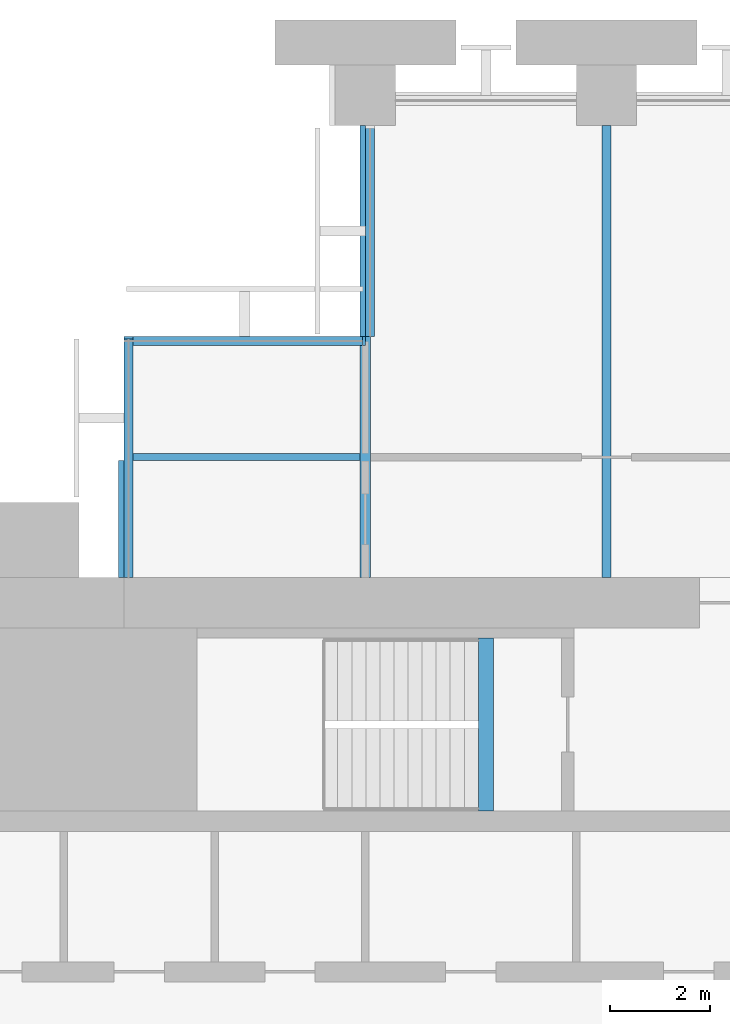
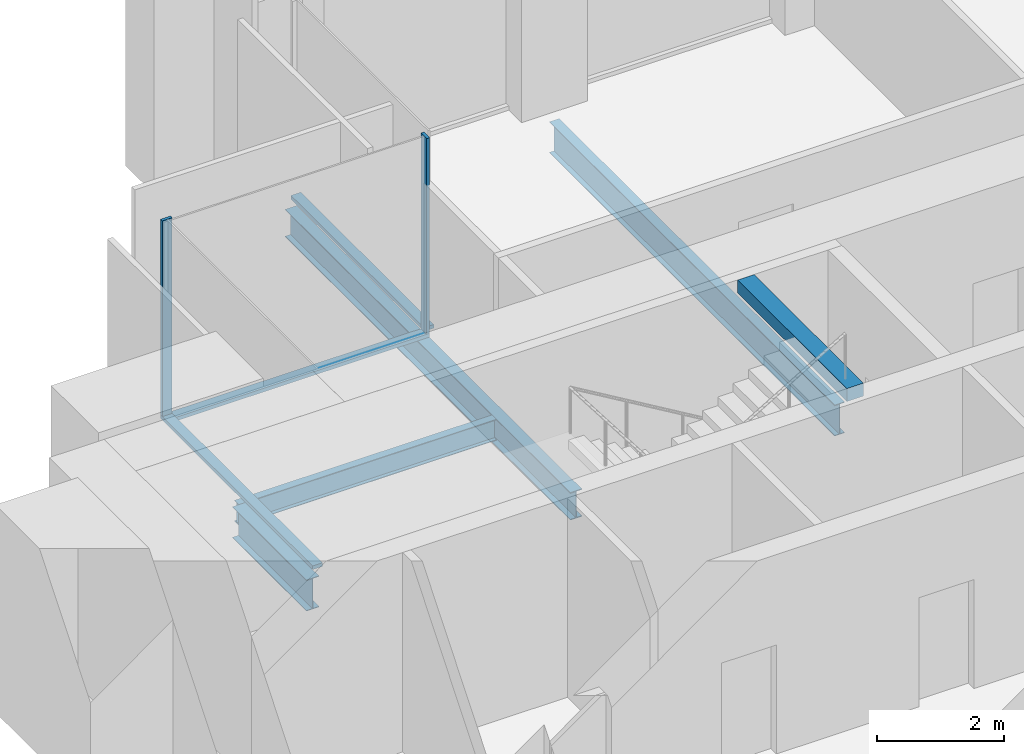
# One storey, part 5 of 14: 5 beams, 5 members, 3 elements without a shape of their own.
"""IFC4 building model written with IfcOpenShell, lengths in metres."""

from ifc_helpers import new_model, si_unit, direction, frame, origin, origin_2d, place, context, subcontext, project, spatial, rectangle, i_section, extrude, material, material_profile, profile_set, type_object, element, aggregate, save


model = new_model("IFC4")

# Units and contexts
model_context = context("Model", 3, precision=1e-05, world=origin(), true_north=direction((0.0, 1.0)))
body_context = subcontext(model_context, "Body", "Model", "MODEL_VIEW")
ifc_project = project(units=[si_unit("LENGTHUNIT", "METRE"), si_unit("AREAUNIT", "SQUARE_METRE"), si_unit("VOLUMEUNIT", "CUBIC_METRE"), si_unit("PLANEANGLEUNIT", "RADIAN"), si_unit("MASSUNIT", "GRAM", prefix="KILO")], contexts=[model_context])

# Site, building, storey
site_placement = place(None, origin())
site = spatial("IfcSite", under=ifc_project, at=site_placement, CompositionType="ELEMENT")
building_placement = place(site_placement, origin())
building = spatial("IfcBuilding", under=site, at=building_placement, Name="Baori Bourse Tower", CompositionType="ELEMENT")
storey_placement = place(building_placement, frame((0.0, 0.0, 108.10009765625)))
storey = spatial("IfcBuildingStorey", under=building, at=storey_placement, Name="L22", CompositionType="ELEMENT", Elevation=108.10009765625)

# Curtain wall, member
ifc_material_1 = material(Name="Pale anodised aluminium", Category="aluminium")
curtain_wall_type = type_object("IfcCurtainWallType", Name="CW2 Curtain wall", PredefinedType="NOTDEFINED", material=ifc_material_1)
curtain_wall_1_placement = place(storey_placement, origin())
curtain_wall_1 = element("IfcCurtainWall", 1, at=curtain_wall_1_placement, inside=storey, type_object=curtain_wall_type, Name="Curtain wall CW2 L22 6", PredefinedType="NOTDEFINED")
ifc_material_2 = material(Name="Pale anodised aluminium", Category="aluminium")
ifc_material_profile_1 = material_profile(ifc_material_2, rectangle(XDim=0.179931640625, YDim=0.054931640625, at=origin_2d()), Name="Mullion 55x180")
ifc_profile_set_1 = profile_set([ifc_material_profile_1], Name="Pale anodised aluminium")
member_type_1 = type_object("IfcMemberType", Name="CW2 Curtain wall mullion", PredefinedType="MULLION", material=ifc_profile_set_1)
member_1_placement = place(storey_placement, frame((9.572509765625, 43.110107421875, 0.06982421875), z_axis=(0.0, 0.0, 1.0), x_axis=(0.0, -1.0, 0.0)))
member_1 = element("IfcMember", 2, at=member_1_placement, type_object=member_type_1, Name="Curtain wall CW2 mullion", PredefinedType="MULLION", context=body_context, shape_type="SweptSolid", body=[
    extrude(rectangle(XDim=0.179931640625, YDim=0.054931640625, at=origin_2d()), origin(), (0.0, 0.0, 1.0), 3.77001953125),
])

curtain_wall_2_placement = place(storey_placement, origin())
curtain_wall_2 = element("IfcCurtainWall", 3, at=curtain_wall_2_placement, inside=storey, type_object=curtain_wall_type, Name="Curtain wall CW2 L22 7", PredefinedType="NOTDEFINED")
member_2_placement = place(storey_placement, frame((4.889892578125, 43.172607421875, 0.06982421875), z_axis=(0.0, 0.0, 1.0), x_axis=(1.0, 0.0, 0.0)))
member_2 = element("IfcMember", 4, at=member_2_placement, type_object=member_type_1, Name="Curtain wall CW2 mullion", PredefinedType="MULLION", context=body_context, shape_type="SweptSolid", body=[
    extrude(rectangle(XDim=0.179931640625, YDim=0.054931640625, at=origin_2d()), origin(), (0.0, 0.0, 1.0), 3.77001953125),
])

curtain_wall_3_placement = place(storey_placement, origin())
curtain_wall_3 = element("IfcCurtainWall", 5, at=curtain_wall_3_placement, inside=storey, type_object=curtain_wall_type, Name="Curtain wall CW2 L22 5", PredefinedType="NOTDEFINED")
ifc_material_3 = material(Name="Pale anodised aluminium", Category="aluminium")
ifc_material_profile_2 = material_profile(ifc_material_3, rectangle(XDim=0.179931640625, YDim=0.070068359375, at=origin_2d()), Name="Transom 70x180")
ifc_profile_set_2 = profile_set([ifc_material_profile_2], Name="Pale anodised aluminium")
member_type_2 = type_object("IfcMemberType", Name="CW2 Curtain wall transom", PredefinedType="USERDEFINED", material=ifc_profile_set_2)
member_3_placement = place(storey_placement, frame((9.68994140625, 47.39990234375, 0.034912109375), z_axis=(0.0, -1.0, 0.0), x_axis=(1.0, 0.0, 0.0)))
member_3 = element("IfcMember", 6, at=member_3_placement, type_object=member_type_2, Name="Curtain wall CW2 sill rail", ObjectType="TRANSOM", PredefinedType="USERDEFINED", context=body_context, shape_type="SweptSolid", body=[
    extrude(rectangle(XDim=0.179931640625, YDim=0.070068359375, at=origin_2d()), origin(), (0.0, 0.0, 1.0), 4.199951171875),
])
aggregate(curtain_wall_3, [member_3])

# Member
member_4_placement = place(storey_placement, frame((9.60009765625, 43.110107421875, 0.034912109375), z_axis=(-1.0, 0.0, 0.0), x_axis=(0.0, -1.0, 0.0)))
member_4 = element("IfcMember", 7, at=member_4_placement, type_object=member_type_2, Name="Curtain wall CW2 sill rail", ObjectType="TRANSOM", PredefinedType="USERDEFINED", context=body_context, shape_type="SweptSolid", body=[
    extrude(rectangle(XDim=0.179931640625, YDim=0.070068359375, at=origin_2d()), origin(), (0.0, 0.0, 1.0), 4.800048828125),
])

aggregate(curtain_wall_1, [member_4, member_1])

member_5_placement = place(storey_placement, frame((4.889892578125, 43.199951171875, 0.034912109375), z_axis=(0.0, -1.0, 0.0), x_axis=(1.0, 0.0, 0.0)))
member_5 = element("IfcMember", 8, at=member_5_placement, type_object=member_type_2, Name="Curtain wall CW2 sill rail", ObjectType="TRANSOM", PredefinedType="USERDEFINED", context=body_context, shape_type="SweptSolid", body=[
    extrude(rectangle(XDim=0.179931640625, YDim=0.070068359375, at=origin_2d()), origin(), (0.0, 0.0, 1.0), 4.800048828125),
])

aggregate(curtain_wall_2, [member_5, member_2])

# Beams
ifc_material_4 = material(Name="Steel A992 Gr 50", Category="steel")
ifc_material_profile_3 = material_profile(ifc_material_4, i_section(OverallWidth=0.227783203125, OverallDepth=0.60205078125, WebThickness=0.010498046875, FlangeThickness=0.014892578125, at=origin_2d()), Name="W24x68")
ifc_profile_set_3 = profile_set([ifc_material_profile_3], Name="Steel A992 Gr 50")
beam_type_1 = type_object("IfcBeamType", Name="Core bracket W24x68", PredefinedType="BEAM", material=ifc_profile_set_3)
beam_1_placement = place(storey_placement, frame((4.800048828125, 38.39990234375, -0.461181640625), z_axis=(0.0, 1.0, 0.0), x_axis=(-1.0, 0.0, 0.0)))
element("IfcBeam", 9, at=beam_1_placement, inside=storey, type_object=beam_type_1, Name="Core bracket L22", PredefinedType="BEAM", context=body_context, shape_type="SweptSolid", body=[
    extrude(i_section(OverallWidth=0.227783203125, OverallDepth=0.60205078125, WebThickness=0.010498046875, FlangeThickness=0.014892578125, at=origin_2d()), origin(), (0.0, 0.0, 1.0), 2.329833984375),
])
ifc_material_5 = material(Name="Steel A992 Gr 50", Category="steel")
ifc_material_profile_4 = material_profile(ifc_material_5, i_section(OverallWidth=0.209228515625, OverallDepth=0.533447265625, WebThickness=0.01025390625, FlangeThickness=0.015625, at=origin_2d()), Name="W21x62")
ifc_profile_set_4 = profile_set([ifc_material_profile_4], Name="Steel A992 Gr 50")
beam_type_2 = type_object("IfcBeamType", Name="Floor beam W21x62", PredefinedType="BEAM", material=ifc_profile_set_4)
beam_2_placement = place(storey_placement, frame((9.60009765625, 38.39990234375, -0.4267578125), z_axis=(0.0, 1.0, 0.0), x_axis=(-1.0, 0.0, 0.0)))
element("IfcBeam", 10, at=beam_2_placement, inside=storey, type_object=beam_type_2, Name="Floor beam L22", PredefinedType="BEAM", context=body_context, shape_type="SweptSolid", body=[
    extrude(i_section(OverallWidth=0.209228515625, OverallDepth=0.533447265625, WebThickness=0.01025390625, FlangeThickness=0.015625, at=origin_2d()), origin(), (0.0, 0.0, 1.0), 9.0),
])
ifc_material_6 = material(Name="Steel A992 Gr 50", Category="steel")
ifc_material_profile_5 = material_profile(ifc_material_6, i_section(OverallWidth=0.177978515625, OverallDepth=0.599365234375, WebThickness=0.010009765625, FlangeThickness=0.012939453125, at=origin_2d()), Name="W24x55")
ifc_profile_set_5 = profile_set([ifc_material_profile_5], Name="Steel A992 Gr 50")
beam_type_3 = type_object("IfcBeamType", Name="Floor beam W24x55", PredefinedType="BEAM", material=ifc_profile_set_5)
beam_3_placement = place(storey_placement, frame((14.39990234375, 38.39990234375, -0.459716796875), z_axis=(0.0, 1.0, 0.0), x_axis=(-1.0, 0.0, 0.0)))
element("IfcBeam", 11, at=beam_3_placement, inside=storey, type_object=beam_type_3, Name="Floor beam L22", PredefinedType="BEAM", context=body_context, shape_type="SweptSolid", body=[
    extrude(i_section(OverallWidth=0.177978515625, OverallDepth=0.599365234375, WebThickness=0.010009765625, FlangeThickness=0.012939453125, at=origin_2d()), origin(), (0.0, 0.0, 1.0), 9.0),
])
ifc_material_7 = material(Name="Concrete f'c 50 MPa", Category="concrete")
ifc_material_profile_6 = material_profile(ifc_material_7, rectangle(XDim=0.300048828125, YDim=0.25, at=origin_2d()), Name="RC 300x250")
ifc_profile_set_6 = profile_set([ifc_material_profile_6], Name="Concrete f'c 50 MPa")
beam_type_4 = type_object("IfcBeamType", Name="Stair nib beam RC 300x250", PredefinedType="BEAM", material=ifc_profile_set_6)
beam_4_placement = place(storey_placement, frame((12.0, 33.75, 3.71484375), z_axis=(0.0, 1.0, 0.0), x_axis=(-1.0, 0.0, 0.0)))
element("IfcBeam", 12, at=beam_4_placement, inside=storey, type_object=beam_type_4, Name="Stair WB nib beam L23", PredefinedType="BEAM", context=body_context, shape_type="SweptSolid", body=[
    extrude(rectangle(XDim=0.300048828125, YDim=0.25, at=origin_2d()), origin(), (0.0, 0.0, 1.0), 3.449951171875),
])
ifc_material_8 = material(Name="Steel A992 Gr 50", Category="steel")
ifc_material_profile_7 = material_profile(ifc_material_8, i_section(OverallWidth=0.140380859375, OverallDepth=0.40380859375, WebThickness=0.007080078125, FlangeThickness=0.01123046875, at=origin_2d()), Name="W16x31")
ifc_profile_set_7 = profile_set([ifc_material_profile_7], Name="Steel A992 Gr 50")
beam_type_5 = type_object("IfcBeamType", Name="Trimmer beam W16x31", PredefinedType="BEAM", material=ifc_profile_set_7)
beam_5_placement = place(storey_placement, frame((4.800048828125, 40.800048828125, -0.362060546875), z_axis=(1.0, 0.0, 0.0), x_axis=(0.0, 1.0, 0.0)))
element("IfcBeam", 13, at=beam_5_placement, inside=storey, type_object=beam_type_5, Name="Trimmer beam L22", PredefinedType="BEAM", context=body_context, shape_type="SweptSolid", body=[
    extrude(i_section(OverallWidth=0.140380859375, OverallDepth=0.40380859375, WebThickness=0.007080078125, FlangeThickness=0.01123046875, at=origin_2d()), origin(), (0.0, 0.0, 1.0), 4.6953125),
])

save(model, "model.ifc")
